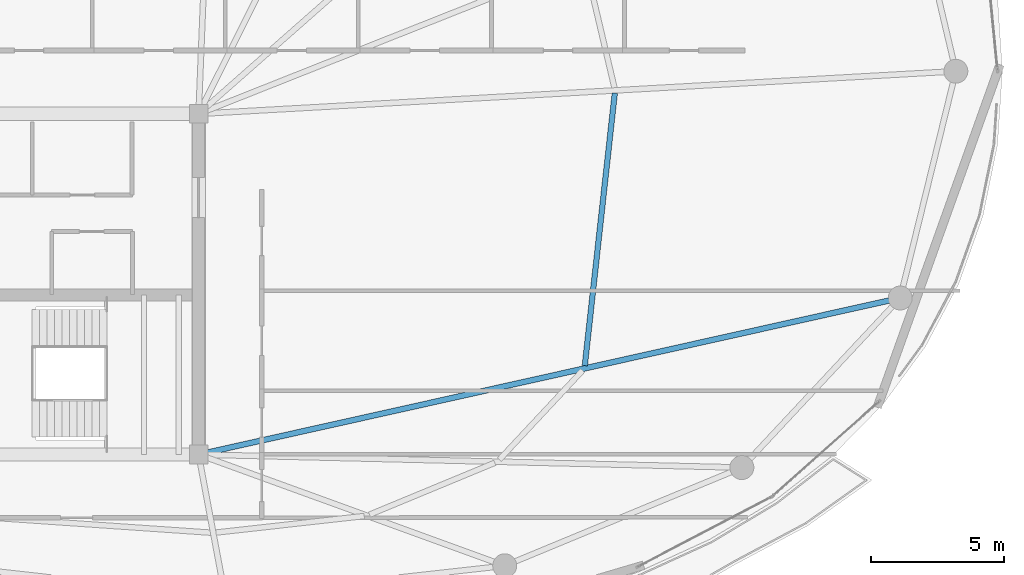
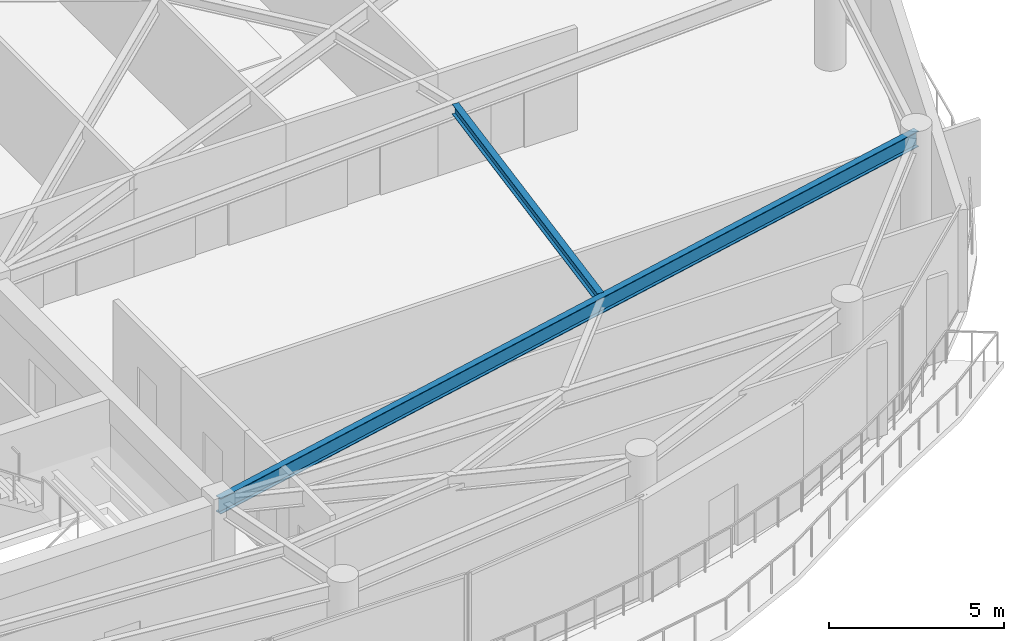
# One storey, part 14 of 30: 2 beams.
"""IFC4 building model written with IfcOpenShell, lengths in metres."""

import ifcopenshell
import ifcopenshell.guid

model = None  # the IFC model being written
_history = None  # IfcOwnerHistory: only IFC2X3 demands one
_inside = {}  # id of a spatial element -> (the spatial element, [elements in it])
_under = {}  # id of a project, library or spatial element -> (it, [spatial elements below it])
_declared = {}  # id of a project -> (the project, [libraries it declares])
_typed = {}  # id of a type object -> (the type object, [elements of that type])
_made_of = {}  # id of a material, layer set ... -> (it, [elements and type objects made of it])


def new_model(schema):
    """Start an empty IFC model of exactly this schema.

    Asked for "IFC4X3", IfcOpenShell would pick the latest addendum, in which some entities
    have other attributes; the version numbers below select the first issue.
    IFC2X3 requires an IfcOwnerHistory on every rooted entity: one is made here for all.
    """
    global model, _history
    if schema == "IFC4X3":
        model = ifcopenshell.file(schema_version=(4, 3, 0, 0))
    else:
        model = ifcopenshell.file(schema=schema)
    _inside.clear()
    _under.clear()
    _declared.clear()
    _typed.clear()
    _made_of.clear()
    _history = None
    if model.schema == "IFC2X3":
        org = make("IfcOrganization", Name="unknown")
        user = make(
            "IfcPersonAndOrganization",
            ThePerson=make("IfcPerson", FamilyName="unknown"),
            TheOrganization=org,
        )
        app = make(
            "IfcApplication",
            ApplicationDeveloper=org,
            Version="unknown",
            ApplicationFullName="unknown",
            ApplicationIdentifier="unknown",
        )
        _history = make(
            "IfcOwnerHistory",
            OwningUser=user,
            OwningApplication=app,
            ChangeAction="ADDED",
            CreationDate=0,
        )
    return model


def make(cls, **values):
    """One entity of the class cls with the attributes given. An attribute that is None is left unset."""
    return model.create_entity(
        cls, **{name: value for name, value in values.items() if value is not None}
    )


def rooted(cls, **values):
    """An entity with a GlobalId (a new one), such as an element, a storey or a relation."""
    return make(cls, GlobalId=ifcopenshell.guid.new(), OwnerHistory=_history, **values)


def si_unit(unit_type, name, prefix=None):
    """IfcSIUnit, for example si_unit("LENGTHUNIT", "METRE", prefix="MILLI")."""
    return make("IfcSIUnit", UnitType=unit_type, Prefix=prefix, Name=name)


def assignment(units):
    """IfcUnitAssignment: the units of a project."""
    return None if units is None else make("IfcUnitAssignment", Units=units)


def point(xyz):
    """IfcCartesianPoint."""
    return None if xyz is None else make("IfcCartesianPoint", Coordinates=xyz)


def direction(xyz):
    """IfcDirection."""
    return None if xyz is None else make("IfcDirection", DirectionRatios=xyz)


def frame(location, z_axis=None, x_axis=None):
    """IfcAxis2Placement3D, a coordinate frame: its origin and axes. An axis left out is left unset."""
    return make(
        "IfcAxis2Placement3D",
        Location=point(location),
        Axis=direction(z_axis),
        RefDirection=direction(x_axis),
    )


def frame_2d(location, x_axis=None):
    """IfcAxis2Placement2D, a coordinate frame in the plane: its origin and x axis."""
    return make(
        "IfcAxis2Placement2D", Location=point(location), RefDirection=direction(x_axis)
    )


def origin():
    """The frame at (0, 0, 0) with its axes left unset."""
    return frame((0.0, 0.0, 0.0))


def origin_2d():
    """The frame at (0, 0) in the plane with its x axis left unset."""
    return frame_2d((0.0, 0.0))


def place(relative_to, where):
    """IfcLocalPlacement: puts the frame where relative to a parent placement (None: the world)."""
    return make(
        "IfcLocalPlacement", PlacementRelTo=relative_to, RelativePlacement=where
    )


def context(
    kind, dimensions, precision=None, world=None, true_north=None, identifier=None
):
    """IfcGeometricRepresentationContext, for example the 3D "Model" context."""
    return make(
        "IfcGeometricRepresentationContext",
        ContextIdentifier=identifier,
        ContextType=kind,
        CoordinateSpaceDimension=dimensions,
        Precision=precision,
        WorldCoordinateSystem=world,
        TrueNorth=true_north,
    )


def subcontext(parent, identifier, kind, view, scale=None):
    """IfcGeometricRepresentationSubContext, for example "Body" below "Model"."""
    return make(
        "IfcGeometricRepresentationSubContext",
        ContextIdentifier=identifier,
        ContextType=kind,
        ParentContext=parent,
        TargetScale=scale,
        TargetView=view,
    )


def project(units=None, contexts=None):
    """IfcProject with its units and contexts."""
    return rooted(
        "IfcProject",
        Name="project",
        RepresentationContexts=contexts,
        UnitsInContext=assignment(units),
    )


def spatial(cls, under=None, at=None, **own):
    """A site, building, storey or space (cls), placed at a placement, below another one or the project."""
    s = rooted(cls, ObjectPlacement=at, **own)
    if under is not None:
        _under.setdefault(under.id(), (under, []))[1].append(s)
    return s


def profile(cls, at=None, kind="AREA", **sizes):
    """A parametric profile (cls). Its sizes go by their IFC names, for example OverallWidth=200.0."""
    return make(cls, ProfileType=kind, Position=at, **sizes)


def i_section(**sizes):
    """IfcIShapeProfileDef."""
    return profile("IfcIShapeProfileDef", **sizes)


def extrude(swept, where, along, depth):
    """IfcExtrudedAreaSolid: the profile swept, set in the frame where, extruded along a direction by depth."""
    return make(
        "IfcExtrudedAreaSolid",
        SweptArea=swept,
        Position=where,
        ExtrudedDirection=direction(along),
        Depth=depth,
    )


def shape(context_of_items, identifier, shape_type, items):
    """IfcShapeRepresentation: the items that make up one representation, for example the "Body"."""
    return make(
        "IfcShapeRepresentation",
        ContextOfItems=context_of_items,
        RepresentationIdentifier=identifier,
        RepresentationType=shape_type,
        Items=items,
    )


def material(Name=None, Category=None):
    """IfcMaterial."""
    return make("IfcMaterial", Name=Name, Category=Category)


def material_profile(
    of_material, cross_section, Name=None, Category=None, Priority=None
):
    """IfcMaterialProfile: a cross section and its material."""
    return make(
        "IfcMaterialProfile",
        Name=Name,
        Material=of_material,
        Profile=cross_section,
        Priority=Priority,
        Category=Category,
    )


def profile_set(profiles, Name=None, composite=None):
    """IfcMaterialProfileSet."""
    return make(
        "IfcMaterialProfileSet",
        Name=Name,
        MaterialProfiles=profiles,
        CompositeProfile=composite,
    )


def made_of(thing, what):
    """Note that an element or type object is made of a material, layer set ...; save() writes the relation."""
    if what is not None:
        _made_of.setdefault(what.id(), (what, []))[1].append(thing)
    return thing


def type_object(cls, material=None, **own):
    """A type object (cls), such as IfcWallType, which elements share."""
    return made_of(rooted(cls, **own), material)


def element(
    cls,
    number,
    at=None,
    inside=None,
    cuts=None,
    type_object=None,
    material=None,
    context=None,
    identifier="Body",
    shape_type=None,
    held_by="IfcProductDefinitionShape",
    body=None,
    shapes=None,
    **own,
):
    """One element of the class cls, such as IfcWall. Its Tag is "e" and its number.

    at: its placement. inside: the storey or other place that contains it. cuts: it is an
    opening in that element (IfcRelVoidsElement). A single representation is given by context,
    identifier, shape_type and body (its items); several are given by shapes. held_by: the class
    of the entity that holds the representations. save() writes the other relations.
    """
    e = rooted(cls, Tag="e%d" % number, ObjectPlacement=at, **own)
    if body is not None:
        shapes = [shape(context, identifier, shape_type, body)]
    if shapes is not None:
        e.Representation = make(held_by, Representations=shapes)
    if inside is not None:
        _inside.setdefault(inside.id(), (inside, []))[1].append(e)
    if cuts is not None:
        rooted(
            "IfcRelVoidsElement", RelatingBuildingElement=cuts, RelatedOpeningElement=e
        )
    if type_object is not None:
        _typed.setdefault(type_object.id(), (type_object, []))[1].append(e)
    return made_of(e, material)


def aggregate(whole, parts):
    """IfcRelAggregates: a whole, such as a stair, and the parts it consists of."""
    return rooted("IfcRelAggregates", RelatingObject=whole, RelatedObjects=parts)


def save(model, path):
    """Write the relations noted so far, then the file.

    IfcRelAggregates (storeys below a building ...), IfcRelContainedInSpatialStructure (elements
    in a storey), IfcRelDefinesByType, IfcRelAssociatesMaterial and IfcRelDeclares: one each for
    every whole, place, type object, material and project.
    """
    for whole, parts in _under.values():
        aggregate(whole, parts)
    for where, things in _inside.values():
        rooted(
            "IfcRelContainedInSpatialStructure",
            RelatedElements=things,
            RelatingStructure=where,
        )
    for kind, things in _typed.values():
        rooted("IfcRelDefinesByType", RelatedObjects=things, RelatingType=kind)
    for what, things in _made_of.values():
        rooted("IfcRelAssociatesMaterial", RelatedObjects=things, RelatingMaterial=what)
    for by, libraries in _declared.values():
        rooted("IfcRelDeclares", RelatingContext=by, RelatedDefinitions=libraries)
    model.write(path)


model = new_model("IFC4")

# Units and contexts
model_context = context("Model", 3, precision=1e-05, world=origin(), true_north=direction((0.0, 1.0)))
body_context = subcontext(model_context, "Body", "Model", "MODEL_VIEW")
ifc_project = project(units=[si_unit("LENGTHUNIT", "METRE"), si_unit("AREAUNIT", "SQUARE_METRE"), si_unit("VOLUMEUNIT", "CUBIC_METRE"), si_unit("PLANEANGLEUNIT", "RADIAN"), si_unit("MASSUNIT", "GRAM", prefix="KILO")], contexts=[model_context])

# Site, building, storey
site_placement = place(None, origin())
site = spatial("IfcSite", under=ifc_project, at=site_placement, CompositionType="ELEMENT")
building_placement = place(site_placement, origin())
building = spatial("IfcBuilding", under=site, at=building_placement, Name="Kazevale Care Tower and Concert Hall", CompositionType="ELEMENT")
storey_placement = place(building_placement, frame((0.0, 0.0, 258.60009765625)))
storey = spatial("IfcBuildingStorey", under=building, at=storey_placement, Name="L68", CompositionType="ELEMENT", Elevation=258.60009765625)

# Beams
ifc_material = material(Name="Steel ASTM A572 Gr 50", Category="steel")
ifc_material_profile_1 = material_profile(ifc_material, i_section(OverallWidth=0.2119140625, OverallDepth=0.5439453125, WebThickness=0.01318359375, FlangeThickness=0.021240234375, at=origin_2d()), Name="W530x123")
ifc_profile_set_1 = profile_set([ifc_material_profile_1], Name="Steel ASTM A572 Gr 50")
beam_type_1 = type_object("IfcBeamType", Name="Radial Floor Girder W530x123", PredefinedType="BEAM", material=ifc_profile_set_1)
beam_1_placement = place(storey_placement, frame((44.0, 23.60009765625, 3.287841796875), z_axis=(0.976013614534, 0.217709495072, 0.0), x_axis=(-0.217709495072, 0.976013614534, 0.0)))
element("IfcBeam", 1, at=beam_1_placement, inside=storey, type_object=beam_type_1, Name="beam:L68:rad:16", PredefinedType="BEAM", context=body_context, shape_type="SweptSolid", body=[
    extrude(i_section(OverallWidth=0.2119140625, OverallDepth=0.5439453125, WebThickness=0.01318359375, FlangeThickness=0.021240234375, at=origin_2d()), origin(), (0.0, 0.0, 1.0), 27.0078125),
])
ifc_material_profile_2 = material_profile(ifc_material, i_section(OverallWidth=0.205078125, OverallDepth=0.35400390625, WebThickness=0.009521484375, FlangeThickness=0.016845703125, at=origin_2d()), Name="W360x79")
ifc_profile_set_2 = profile_set([ifc_material_profile_2], Name="Steel ASTM A572 Gr 50")
beam_type_2 = type_object("IfcBeamType", Name="Secondary Floor Joist W360x79", PredefinedType="JOIST", material=ifc_profile_set_2)
beam_2_placement = place(storey_placement, frame((58.509033203125, 26.93798828125, 3.3828125), z_axis=(0.109414251474, 0.993996238209, 0.0), x_axis=(-0.993996238209, 0.109414251474, 0.0)))
element("IfcBeam", 2, at=beam_2_placement, inside=storey, type_object=beam_type_2, Name="beam:L68:joist:16", PredefinedType="JOIST", context=body_context, shape_type="SweptSolid", body=[
    extrude(i_section(OverallWidth=0.205078125, OverallDepth=0.35400390625, WebThickness=0.009521484375, FlangeThickness=0.016845703125, at=origin_2d()), origin(), (0.0, 0.0, 1.0), 10.2998046875),
])

save(model, "model.ifc")
